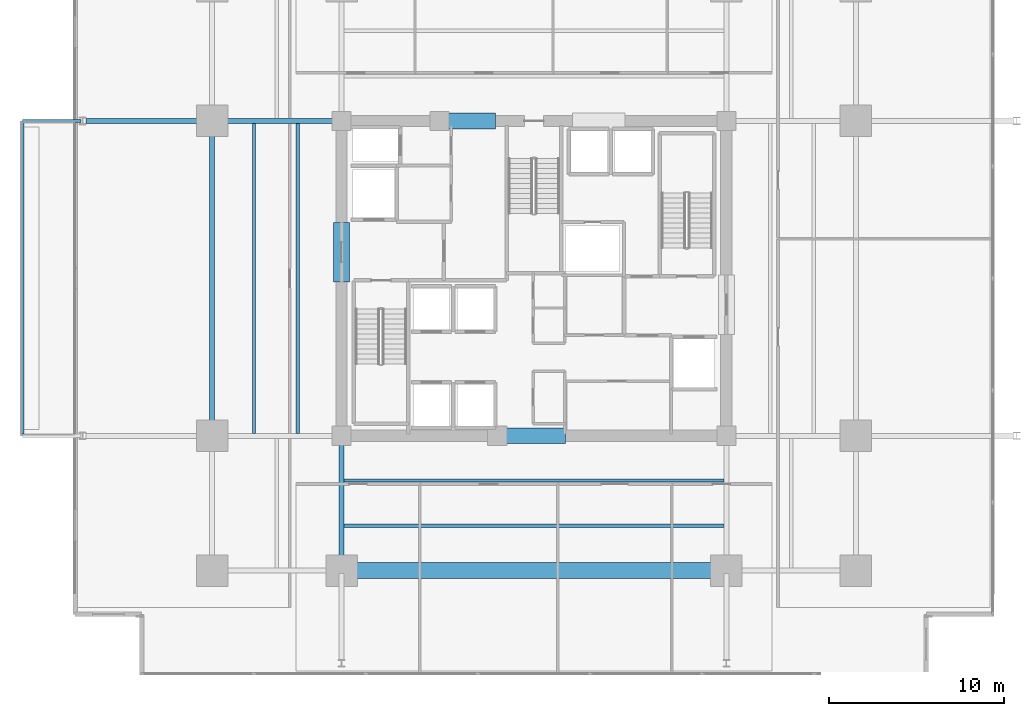
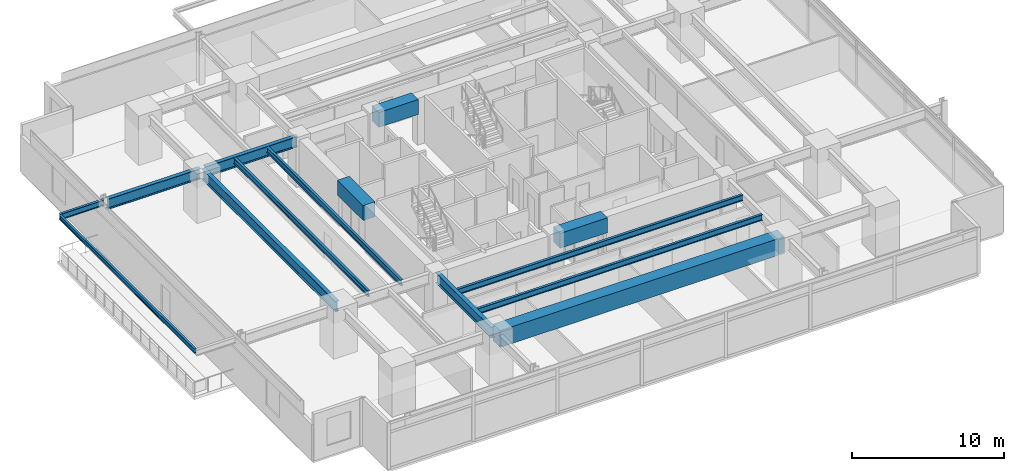
# One storey, part 5 of 22: 14 beams.
"""IFC4 building model written with IfcOpenShell, lengths in metres."""

from ifc_helpers import new_model, si_unit, direction, frame, origin, origin_2d, place, context, subcontext, project, spatial, rectangle, i_section, extrude, material, material_profile, profile_set, type_object, element, save


model = new_model("IFC4")

# Units and contexts
model_context = context("Model", 3, precision=1e-05, world=origin(), true_north=direction((0.0, 1.0)))
body_context = subcontext(model_context, "Body", "Model", "MODEL_VIEW")
ifc_project = project(units=[si_unit("LENGTHUNIT", "METRE"), si_unit("AREAUNIT", "SQUARE_METRE"), si_unit("VOLUMEUNIT", "CUBIC_METRE"), si_unit("PLANEANGLEUNIT", "RADIAN"), si_unit("MASSUNIT", "GRAM", prefix="KILO")], contexts=[model_context])

# Site, building, storey
site_placement = place(None, origin())
site = spatial("IfcSite", under=ifc_project, at=site_placement, CompositionType="ELEMENT")
building_placement = place(site_placement, origin())
building = spatial("IfcBuilding", under=site, at=building_placement, Name="Kovane Verandah Tower", CompositionType="ELEMENT")
storey_placement = place(building_placement, frame((0.0, 0.0, 79.60009765625)))
storey = spatial("IfcBuildingStorey", under=building, at=storey_placement, Name="L18", CompositionType="ELEMENT", Elevation=79.60009765625)

# Beams
ifc_material_1 = material(Name="Concrete C80/95", Category="concrete")
ifc_material_profile_1 = material_profile(ifc_material_1, rectangle(XDim=0.89990234375, YDim=1.199951171875, at=origin_2d()), Name="RCB900x1200")
ifc_profile_set_1 = profile_set([ifc_material_profile_1], Name="Concrete C80/95")
beam_type_1 = type_object("IfcBeamType", Name="BM-LINTEL-900x1200", PredefinedType="LINTEL", material=ifc_profile_set_1)
beam_1_placement = place(storey_placement, frame((38.199951171875, 18.5, 3.159912109375), z_axis=(1.0, 0.0, 0.0), x_axis=(0.0, 1.0, 0.0)))
element("IfcBeam", 1, at=beam_1_placement, inside=storey, type_object=beam_type_1, Name="L18 Core Coupling Lintel CL-S", PredefinedType="LINTEL", context=body_context, shape_type="SweptSolid", body=[
    extrude(rectangle(XDim=0.89990234375, YDim=1.199951171875, at=origin_2d()), origin(), (0.0, 0.0, 1.0), 3.60009765625),
])
beam_2_placement = place(storey_placement, frame((34.800048828125, 36.5, 3.159912109375), z_axis=(1.0, 0.0, 0.0), x_axis=(0.0, 1.0, 0.0)))
element("IfcBeam", 2, at=beam_2_placement, inside=storey, type_object=beam_type_1, Name="L18 Core Coupling Lintel CL-N1", PredefinedType="LINTEL", context=body_context, shape_type="SweptSolid", body=[
    extrude(rectangle(XDim=0.89990234375, YDim=1.199951171875, at=origin_2d()), origin(), (0.0, 0.0, 1.0), 3.0),
])
beam_3_placement = place(storey_placement, frame((29.0, 27.300048828125, 3.159912109375), z_axis=(0.0, 1.0, 0.0), x_axis=(-1.0, 0.0, 0.0)))
element("IfcBeam", 3, at=beam_3_placement, inside=storey, type_object=beam_type_1, Name="L18 Core Coupling Lintel CL-W", PredefinedType="LINTEL", context=body_context, shape_type="SweptSolid", body=[
    extrude(rectangle(XDim=0.89990234375, YDim=1.199951171875, at=origin_2d()), origin(), (0.0, 0.0, 1.0), 3.39990234375),
])
ifc_material_profile_2 = material_profile(ifc_material_1, rectangle(XDim=0.89990234375, YDim=1.35009765625, at=origin_2d()), Name="RCB900x1350")
ifc_profile_set_2 = profile_set([ifc_material_profile_2], Name="Concrete C80/95")
beam_type_2 = type_object("IfcBeamType", Name="BM-TR-900x1350", PredefinedType="BEAM", material=ifc_profile_set_2)
beam_4_placement = place(storey_placement, frame((29.179931640625, 10.800048828125, 3.0849609375), z_axis=(1.0, 0.0, 0.0), x_axis=(0.0, 1.0, 0.0)))
element("IfcBeam", 4, at=beam_4_placement, inside=storey, type_object=beam_type_2, Name="L18 Primary Tower Girder G-RS2", PredefinedType="BEAM", context=body_context, shape_type="SweptSolid", body=[
    extrude(rectangle(XDim=0.89990234375, YDim=1.35009765625, at=origin_2d()), origin(), (0.0, 0.0, 1.0), 21.64013671875),
])
ifc_material_2 = material(Name="Steel S355", Category="steel")
ifc_material_profile_3 = material_profile(ifc_material_2, i_section(OverallWidth=0.293701171875, OverallDepth=0.850830078125, WebThickness=0.01611328125, FlangeThickness=0.02685546875, FilletRadius=0.017822265625, at=origin_2d()), Name="UB838x292x226")
ifc_profile_set_3 = profile_set([ifc_material_profile_3], Name="Steel S355")
beam_type_3 = type_object("IfcBeamType", Name="BM-UB838x226", PredefinedType="BEAM", material=ifc_profile_set_3)
beam_5_placement = place(storey_placement, frame((21.60009765625, 18.679931640625, 3.33447265625), z_axis=(0.0, 1.0, 0.0), x_axis=(-1.0, 0.0, 0.0)))
element("IfcBeam", 5, at=beam_5_placement, inside=storey, type_object=beam_type_3, Name="L18 Primary Tower Girder G-RW2", PredefinedType="BEAM", context=body_context, shape_type="SweptSolid", body=[
    extrude(i_section(OverallWidth=0.293701171875, OverallDepth=0.850830078125, WebThickness=0.01611328125, FlangeThickness=0.02685546875, FilletRadius=0.017822265625, at=origin_2d()), origin(), (0.0, 0.0, 1.0), 17.64013671875),
])
beam_6_placement = place(storey_placement, frame((28.820068359375, 36.5, 3.33447265625), z_axis=(-1.0, 0.0, 0.0), x_axis=(0.0, -1.0, 0.0)))
element("IfcBeam", 6, at=beam_6_placement, inside=storey, type_object=beam_type_3, Name="L18 Primary Tower Girder G-W2", PredefinedType="BEAM", context=body_context, shape_type="SweptSolid", body=[
    extrude(i_section(OverallWidth=0.293701171875, OverallDepth=0.850830078125, WebThickness=0.01611328125, FlangeThickness=0.02685546875, FilletRadius=0.017822265625, at=origin_2d()), origin(), (0.0, 0.0, 1.0), 7.0400390625),
])
beam_7_placement = place(storey_placement, frame((29.0, 18.320068359375, 3.33447265625), z_axis=(0.0, -1.0, 0.0), x_axis=(1.0, 0.0, 0.0)))
element("IfcBeam", 7, at=beam_7_placement, inside=storey, type_object=beam_type_3, Name="L18 Primary Tower Girder G-S1", PredefinedType="BEAM", context=body_context, shape_type="SweptSolid", body=[
    extrude(i_section(OverallWidth=0.293701171875, OverallDepth=0.850830078125, WebThickness=0.01611328125, FlangeThickness=0.02685546875, FilletRadius=0.017822265625, at=origin_2d()), origin(), (0.0, 0.0, 1.0), 7.340087890625),
])
beam_8_placement = place(storey_placement, frame((21.419921875, 36.5, 3.33447265625), z_axis=(-1.0, 0.0, 0.0), x_axis=(0.0, -1.0, 0.0)))
element("IfcBeam", 8, at=beam_8_placement, inside=storey, type_object=beam_type_3, Name="L18 Primary Tower Girder G-VW2", PredefinedType="BEAM", context=body_context, shape_type="SweptSolid", body=[
    extrude(i_section(OverallWidth=0.293701171875, OverallDepth=0.850830078125, WebThickness=0.01611328125, FlangeThickness=0.02685546875, FilletRadius=0.017822265625, at=origin_2d()), origin(), (0.0, 0.0, 1.0), 7.0400390625),
])
ifc_material_profile_4 = material_profile(ifc_material_2, i_section(OverallWidth=0.19287109375, OverallDepth=0.46728515625, WebThickness=0.011474609375, FlangeThickness=0.01953125, FilletRadius=0.01025390625, at=origin_2d()), Name="UB457x191x98")
ifc_profile_set_4 = profile_set([ifc_material_profile_4], Name="Steel S355")
beam_type_4 = type_object("IfcBeamType", Name="JST-UB457x98", PredefinedType="JOIST", material=ifc_profile_set_4)
for number, where, z_axis, x_axis, name in (
    (9, (29.14501953125, 13.35009765625, 3.5263671875), (1.0, 0.0, 0.0), (0.0, 1.0, 0.0), "L18 Secondary Composite Joist J-S1"),
    (10, (29.14501953125, 15.949951171875, 3.5263671875), (1.0, 0.0, 0.0), (0.0, 1.0, 0.0), "L18 Secondary Composite Joist J-S2"),
):
    element("IfcBeam", number, at=place(storey_placement, frame(where, z_axis=z_axis, x_axis=x_axis)), inside=storey, type_object=beam_type_4, Name=name, PredefinedType="JOIST", context=body_context, shape_type="SweptSolid", body=[
        extrude(i_section(OverallWidth=0.19287109375, OverallDepth=0.46728515625, WebThickness=0.011474609375, FlangeThickness=0.01953125, FilletRadius=0.01025390625, at=origin_2d()), origin(), (0.0, 0.0, 1.0), 21.7099609375),
    ])
for number, where, z_axis, x_axis, name in (
    (11, (24.0, 18.64501953125, 3.5263671875), (0.0, 1.0, 0.0), (-1.0, 0.0, 0.0), "L18 Secondary Composite Joist J-W1"),
    (12, (26.5, 18.64501953125, 3.5263671875), (0.0, 1.0, 0.0), (-1.0, 0.0, 0.0), "L18 Secondary Composite Joist J-W2"),
):
    element("IfcBeam", number, at=place(storey_placement, frame(where, z_axis=z_axis, x_axis=x_axis)), inside=storey, type_object=beam_type_4, Name=name, PredefinedType="JOIST", context=body_context, shape_type="SweptSolid", body=[
        extrude(i_section(OverallWidth=0.19287109375, OverallDepth=0.46728515625, WebThickness=0.011474609375, FlangeThickness=0.01953125, FilletRadius=0.01025390625, at=origin_2d()), origin(), (0.0, 0.0, 1.0), 17.7099609375),
    ])
beam_9_placement = place(storey_placement, frame((14.1201171875, 36.5, 3.5263671875), z_axis=(-1.0, 0.0, 0.0), x_axis=(0.0, -1.0, 0.0)))
element("IfcBeam", 13, at=beam_9_placement, inside=storey, type_object=beam_type_4, Name="L18 West Planter Girder 2", PredefinedType="JOIST", context=body_context, shape_type="SweptSolid", body=[
    extrude(i_section(OverallWidth=0.19287109375, OverallDepth=0.46728515625, WebThickness=0.011474609375, FlangeThickness=0.01953125, FilletRadius=0.01025390625, at=origin_2d()), origin(), (0.0, 0.0, 1.0), 3.354736328125),
])
ifc_material_profile_5 = material_profile(ifc_material_2, i_section(OverallWidth=0.173095703125, OverallDepth=0.36328125, WebThickness=0.009033203125, FlangeThickness=0.015625, FilletRadius=0.01025390625, at=origin_2d()), Name="UB356x171x67")
ifc_profile_set_5 = profile_set([ifc_material_profile_5], Name="Steel S355")
beam_type_5 = type_object("IfcBeamType", Name="SPD-UB356x67", PredefinedType="USERDEFINED", material=ifc_profile_set_5)
beam_10_placement = place(storey_placement, frame((10.765380859375, 18.594482421875, 3.578125), z_axis=(0.0, 1.0, 0.0), x_axis=(-1.0, 0.0, 0.0)))
element("IfcBeam", 14, at=beam_10_placement, inside=storey, type_object=beam_type_5, Name="L18 West Planter Edge Spandrel", ObjectType="SPANDREL", PredefinedType="USERDEFINED", context=body_context, shape_type="SweptSolid", body=[
    extrude(i_section(OverallWidth=0.173095703125, OverallDepth=0.36328125, WebThickness=0.009033203125, FlangeThickness=0.015625, FilletRadius=0.01025390625, at=origin_2d()), origin(), (0.0, 0.0, 1.0), 17.81103515625),
])

save(model, "model.ifc")
